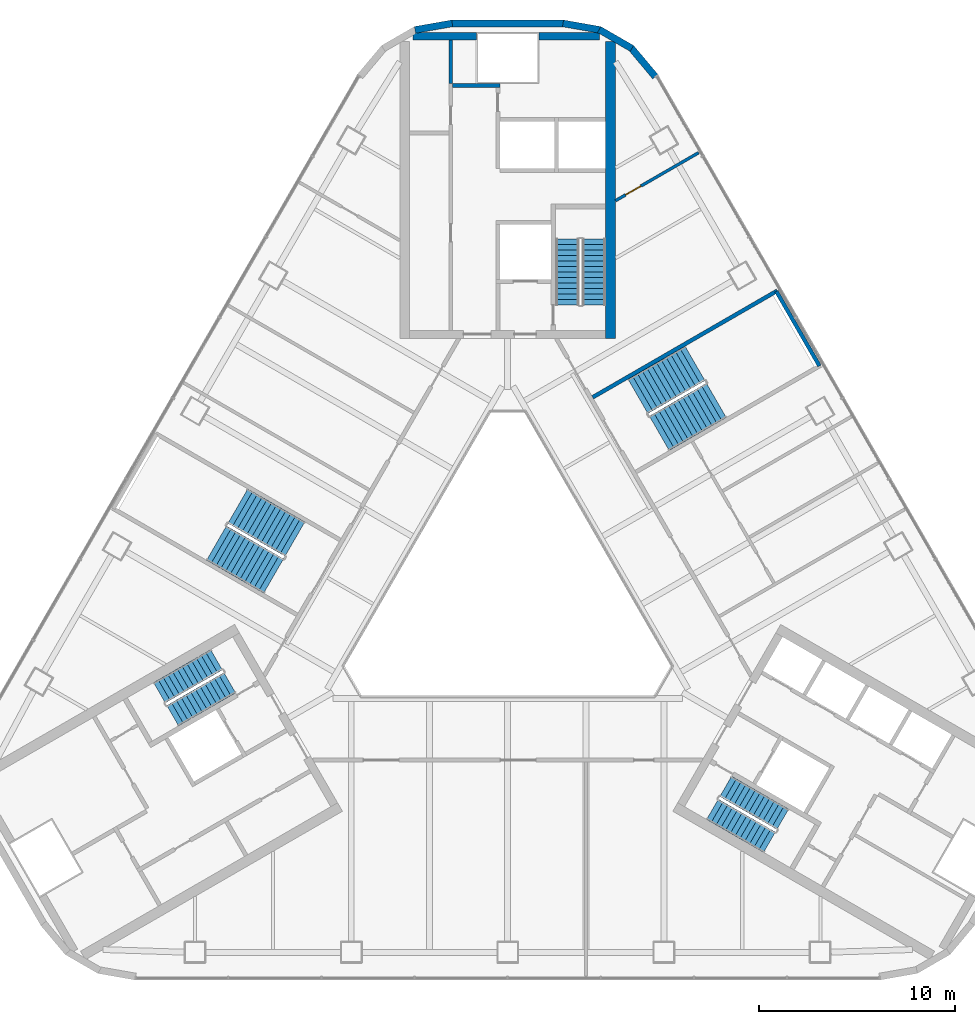
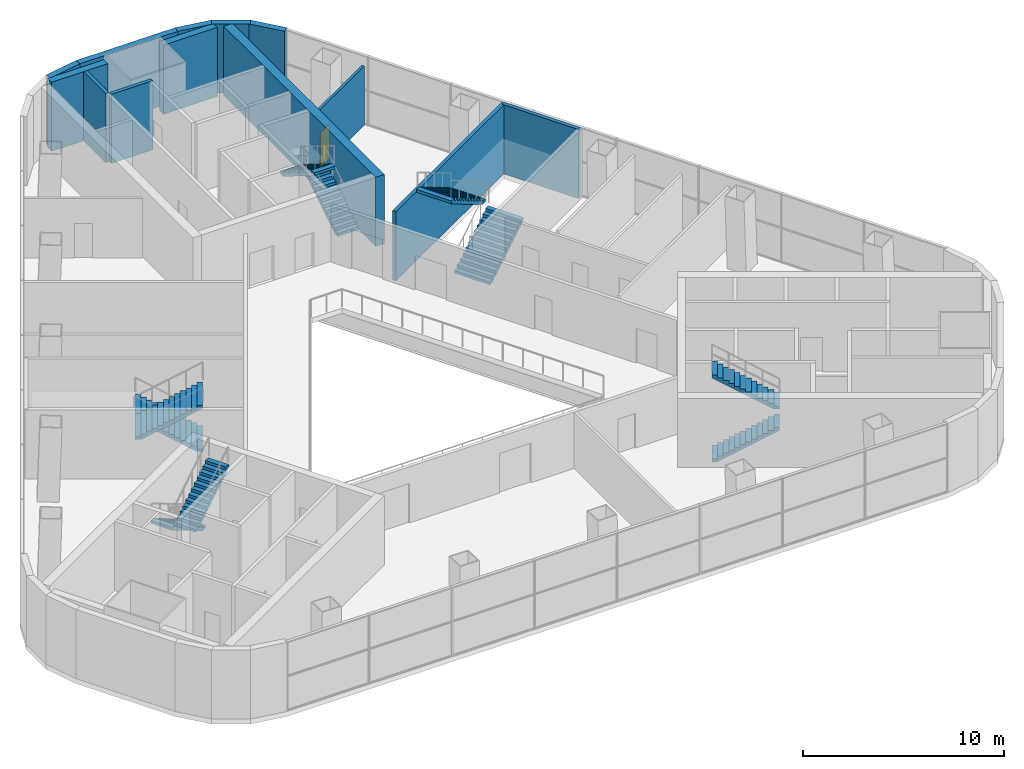
# One storey, part 10 of 12: 13 walls, 10 stair flights, 1 door, 1 opening, 5 elements without a shape of their own.
"""IFC4 building model written with IfcOpenShell, lengths in metres."""

from ifc_helpers import new_model, si_unit, direction, frame, frame_2d, origin, place, context, subcontext, project, spatial, polyline, rectangle, outline, extrude, material, layer, layer_set, type_object, element, fill, aggregate, save


model = new_model("IFC4")

# Units and contexts
model_context = context("Model", 3, precision=1e-05, world=origin(), true_north=direction((0.0, 1.0)))
body_context = subcontext(model_context, "Body", "Model", "MODEL_VIEW")
ifc_project = project(units=[si_unit("LENGTHUNIT", "METRE"), si_unit("AREAUNIT", "SQUARE_METRE"), si_unit("VOLUMEUNIT", "CUBIC_METRE"), si_unit("PLANEANGLEUNIT", "RADIAN"), si_unit("MASSUNIT", "GRAM", prefix="KILO")], contexts=[model_context])

# Site, building, storey
site_placement = place(None, origin())
site = spatial("IfcSite", under=ifc_project, at=site_placement, CompositionType="ELEMENT")
building_placement = place(site_placement, origin())
building = spatial("IfcBuilding", under=site, at=building_placement, Name="Apuvela Tower Hotel", CompositionType="ELEMENT")
storey_placement = place(building_placement, frame((0.0, 0.0, 28.5)))
storey = spatial("IfcBuildingStorey", under=building, at=storey_placement, Name="L04", CompositionType="ELEMENT", Elevation=28.5)

# Walls
ifc_material_1 = material(Name="Concrete C50/60", Category="concrete")
ifc_layer_1 = layer(ifc_material_1, 0.39990234375)
ifc_layer_set_1 = layer_set([ifc_layer_1], Name="COR-WALL-CORE-400")
wall_type_1 = type_object("IfcWallType", Name="COR-WALL-CORE-400", PredefinedType="SHEAR", material=ifc_layer_set_1)
wall_1_placement = place(storey_placement, frame((-1.60009765625, 28.300048828125, 0.0), z_axis=(0.0, 0.0, 1.0), x_axis=(-1.0, 0.0, 0.0)))
element("IfcWall", 1, at=wall_1_placement, inside=storey, type_object=wall_type_1, Name="Core wall N", PredefinedType="SHEAR", context=body_context, shape_type="SweptSolid", body=[
    extrude(rectangle(XDim=3.233642578125, YDim=0.39990234375, at=frame_2d((1.61669921875, 0.0))), origin(), (0.0, 0.0, 1.0), 4.199951171875),
])
wall_2_placement = place(storey_placement, frame((4.679931640625, 28.300048828125, 0.0), z_axis=(0.0, 0.0, 1.0), x_axis=(-1.0, 0.0, 0.0)))
element("IfcWall", 2, at=wall_2_placement, inside=storey, type_object=wall_type_1, Name="Core wall N", PredefinedType="SHEAR", context=body_context, shape_type="SweptSolid", body=[
    extrude(rectangle(XDim=3.079833984375, YDim=0.39990234375, at=frame_2d((1.5400390625, 0.0))), origin(), (0.0, 0.0, 1.0), 4.199951171875),
])
ifc_layer_2 = layer(ifc_material_1, 0.5)
ifc_layer_set_2 = layer_set([ifc_layer_2], Name="COR-WALL-CORE-500")
wall_type_2 = type_object("IfcWallType", Name="COR-WALL-CORE-500", PredefinedType="SHEAR", material=ifc_layer_set_2)
wall_3_placement = place(storey_placement, frame((5.25, 12.89990234375, 0.0), z_axis=(0.0, 0.0, 1.0), x_axis=(0.0, 1.0, 0.0)))
element("IfcWall", 3, at=wall_3_placement, inside=storey, type_object=wall_type_2, Name="Core wall N", PredefinedType="SHEAR", context=body_context, shape_type="SweptSolid", body=[
    extrude(rectangle(XDim=15.13037109375, YDim=0.5, at=frame_2d((7.565185546875, 0.0))), origin(), (0.0, 0.0, 1.0), 4.199951171875),
])
ifc_layer_3 = layer(ifc_material_1, 0.199951171875)
ifc_layer_set_3 = layer_set([ifc_layer_3], Name="COR-WALL-SHAFT-200")
wall_type_3 = type_object("IfcWallType", Name="COR-WALL-SHAFT-200", PredefinedType="SHEAR", material=ifc_layer_set_3)
wall_4_placement = place(storey_placement, frame((-0.39990234375, 25.800048828125, 0.0), z_axis=(0.0, 0.0, 1.0), x_axis=(-1.0, 0.0, 0.0)))
element("IfcWall", 4, at=wall_4_placement, inside=storey, type_object=wall_type_3, Name="Shaft wall N", PredefinedType="SHEAR", context=body_context, shape_type="SweptSolid", body=[
    extrude(rectangle(XDim=2.400146484375, YDim=0.199951171875, at=frame_2d((1.2001953125, 0.0))), origin(), (0.0, 0.0, 1.0), 4.199951171875),
])
wall_5_placement = place(storey_placement, frame((-2.89990234375, 25.89990234375, 0.0), z_axis=(0.0, 0.0, 1.0), x_axis=(0.0, 1.0, 0.0)))
element("IfcWall", 5, at=wall_5_placement, inside=storey, type_object=wall_type_3, Name="Shaft wall N", PredefinedType="SHEAR", context=body_context, shape_type="SweptSolid", body=[
    extrude(rectangle(XDim=2.2001953125, YDim=0.199951171875, at=frame_2d((1.10009765625, 0.0))), origin(), (0.0, 0.0, 1.0), 4.199951171875),
])
ifc_material_2 = material(Name="Concrete C40/50, dark pigmented precast panel", Category="concrete")
ifc_layer_4 = layer(ifc_material_2, 0.35009765625)
ifc_layer_set_4 = layer_set([ifc_layer_4], Name="ENV-WALL-350")
wall_type_4 = type_object("IfcWallType", Name="ENV-WALL-350", PredefinedType="SOLIDWALL", material=ifc_layer_set_4)
wall_6_placement = place(storey_placement, frame((6.336669921875, 27.6806640625, 0.0), z_axis=(0.0, 0.0, 1.0), x_axis=(-0.866052736899, 0.499952654668, 0.0)))
element("IfcWall", 6, at=wall_6_placement, inside=storey, type_object=wall_type_4, Name="External wall L04-01", PredefinedType="SOLIDWALL", context=body_context, shape_type="SweptSolid", body=[
    extrude(rectangle(XDim=1.927978515625, YDim=0.35009765625, at=frame_2d((0.9638671875, 0.0))), origin(), (0.0, 0.0, 1.0), 4.199951171875),
])
wall_7_placement = place(storey_placement, frame((4.72412109375, 28.623779296875, 0.0), z_axis=(0.0, 0.0, 1.0), x_axis=(-0.98481795522, 0.173590308126, 0.0)))
element("IfcWall", 7, at=wall_7_placement, inside=storey, type_object=wall_type_4, Name="External wall L04-02", PredefinedType="SOLIDWALL", context=body_context, shape_type="SweptSolid", body=[
    extrude(rectangle(XDim=1.92822265625, YDim=0.35009765625, at=frame_2d((0.964111328125, 0.0))), origin(), (0.0, 0.0, 1.0), 4.199951171875),
])
wall_8_placement = place(storey_placement, frame((2.855712890625, 28.9560546875, 0.0), z_axis=(0.0, 0.0, 1.0), x_axis=(-1.0, 0.0, 0.0)))
element("IfcWall", 8, at=wall_8_placement, inside=storey, type_object=wall_type_4, Name="External wall L04-03", PredefinedType="SOLIDWALL", context=body_context, shape_type="SweptSolid", body=[
    extrude(rectangle(XDim=5.71142578125, YDim=0.35009765625, at=frame_2d((2.855712890625, 0.0))), origin(), (0.0, 0.0, 1.0), 4.199951171875),
])
wall_9_placement = place(storey_placement, frame((-2.8251953125, 28.95849609375, 0.0), z_axis=(0.0, 0.0, 1.0), x_axis=(-0.98481795522, -0.173590308126, 0.0)))
element("IfcWall", 9, at=wall_9_placement, inside=storey, type_object=wall_type_4, Name="External wall L04-04", PredefinedType="SOLIDWALL", context=body_context, shape_type="SweptSolid", body=[
    extrude(rectangle(XDim=1.92822265625, YDim=0.35009765625, at=frame_2d((0.964111328125, 0.0))), origin(), (0.0, 0.0, 1.0), 4.199951171875),
])
wall_10_placement = place(storey_placement, frame((7.529296875, 26.24267578125, 0.0), z_axis=(0.0, 0.0, 1.0), x_axis=(-0.642746534531, 0.76607890739, 0.0)))
element("IfcWall", 10, at=wall_10_placement, inside=storey, type_object=wall_type_4, Name="External wall L04-24", PredefinedType="SOLIDWALL", context=body_context, shape_type="SweptSolid", body=[
    extrude(rectangle(XDim=1.927978515625, YDim=0.35009765625, at=frame_2d((0.9638671875, 0.0))), origin(), (0.0, 0.0, 1.0), 4.199951171875),
])

# Wall, opening, door
ifc_material_3 = material(Name="Gypsum board partition on steel stud", Category="steel")
ifc_layer_5 = layer(ifc_material_3, 0.14990234375)
ifc_layer_set_5 = layer_set([ifc_layer_5], Name="SPC-WALL-PARTITION")
wall_type_5 = type_object("IfcWallType", Name="SPC-WALL-PARTITION", PredefinedType="PARTITIONING", material=ifc_layer_set_5)
wall_11_placement = place(storey_placement, frame((9.736572265625, 22.364501953125, 0.0), z_axis=(0.0, 0.0, 1.0), x_axis=(-0.866020200517, -0.500009012216, 0.0)))
wall_11 = element("IfcWall", 11, at=wall_11_placement, inside=storey, type_object=wall_type_5, Name="Wall L04-NE-P07", PredefinedType="PARTITIONING", context=body_context, shape_type="SweptSolid", body=[
    extrude(rectangle(XDim=4.89208984375, YDim=0.14990234375, at=frame_2d((2.446044921875, 0.0))), origin(), (0.0, 0.0, 1.0), 3.60009765625),
])
opening_placement = place(wall_11_placement, frame((3.39599609375, 0.0, 0.0)))
opening = element("IfcOpeningElement", 12, at=opening_placement, cuts=wall_11, Name="Opening L04-S03", PredefinedType="OPENING", context=body_context, shape_type="SweptSolid", body=[
    extrude(rectangle(XDim=0.89990234375, YDim=2.10009765625, at=frame_2d((0.449951171875, 1.050048828125))), frame((0.0, 0.0849609375, 0.0), z_axis=(0.0, -1.0, 0.0), x_axis=(1.0, 0.0, 0.0)), (0.0, 0.0, 1.0), 0.169921875),
])
ifc_material_4 = material(Name="Hardwood veneer door leaf", Category="wood")
door_type = type_object("IfcDoorType", Name="SPC-DOOR-900", OperationType="NOTDEFINED", PredefinedType="DOOR", material=ifc_material_4)
door_placement = place(opening_placement, frame((0.89990234375, 0.0, 0.0), z_axis=(0.0, 0.0, 1.0), x_axis=(-1.0, 0.0, 0.0)))
door = element("IfcDoor", 13, at=door_placement, inside=storey, type_object=door_type, Name="L04-S03", OperationType="SINGLE_SWING_RIGHT", OverallHeight=2.10009765625, OverallWidth=0.89990234375, PredefinedType="DOOR", context=body_context, shape_type="SweptSolid", body=[
    extrude(rectangle(XDim=0.89990234375, YDim=2.10009765625, at=frame_2d((0.449951171875, 1.050048828125))), frame((0.0, 0.02490234375, 0.0), z_axis=(0.0, -1.0, 0.0), x_axis=(1.0, 0.0, 0.0)), (0.0, 0.0, 1.0), 0.050048828125),
])
fill(opening, door)

# Walls
ifc_material_5 = material(Name="Concrete C40/50", Category="concrete")
ifc_layer_6 = layer(ifc_material_5, 0.199951171875)
ifc_layer_set_6 = layer_set([ifc_layer_6], Name="SPC-WALL-STAIR")
wall_type_6 = type_object("IfcWallType", Name="SPC-WALL-STAIR", PredefinedType="SOLIDWALL", material=ifc_layer_set_6)
wall_12_placement = place(storey_placement, frame((13.748046875, 15.32763671875, 0.0), z_axis=(0.0, 0.0, 1.0), x_axis=(-0.86602026553, -0.500008899612, 0.0)))
element("IfcWall", 14, at=wall_12_placement, inside=storey, type_object=wall_type_6, Name="Wall L04-NE-P06", PredefinedType="SOLIDWALL", context=body_context, shape_type="SweptSolid", body=[
    extrude(rectangle(XDim=10.869873046875, YDim=0.199951171875, at=frame_2d((5.43505859375, 0.0))), origin(), (0.0, 0.0, 1.0), 4.199951171875),
])
wall_13_placement = place(storey_placement, frame((15.89990234375, 11.4892578125, 0.0), z_axis=(0.0, 0.0, 1.0), x_axis=(-0.499988222896, 0.866032203192, 0.0)))
element("IfcWall", 15, at=wall_13_placement, inside=storey, type_object=wall_type_6, Name="Wall L04-NE-FWX", PredefinedType="SOLIDWALL", context=body_context, shape_type="SweptSolid", body=[
    extrude(rectangle(XDim=4.39990234375, YDim=0.199951171875, at=frame_2d((2.199951171875, 0.0))), origin(), (0.0, 0.0, 1.0), 4.199951171875),
])

# Stair, stair flights
stair_type_1 = type_object("IfcStairType", Name="COR-STAIR-26R", PredefinedType="HALF_TURN_STAIR", material=ifc_material_1)
stair_1_placement = place(storey_placement, origin())
stair_1 = element("IfcStair", 16, at=stair_1_placement, inside=storey, type_object=stair_type_1, Name="L04 Exit stair ST1", PredefinedType="HALF_TURN_STAIR")
stair_flight_type_1 = type_object("IfcStairFlightType", Name="COR-FLIGHT-13R", PredefinedType="STRAIGHT", material=ifc_material_1)
stair_flight_1_placement = place(storey_placement, frame((4.39990234375, 14.60009765625, 0.0), z_axis=(0.0, 0.0, 1.0), x_axis=(0.0, 1.0, 0.0)))
stair_flight_1 = element("IfcStairFlight", 17, at=stair_flight_1_placement, type_object=stair_flight_type_1, Name="ST1 flight 1", NumberOfRisers=13, NumberOfTreads=12, PredefinedType="STRAIGHT", RiserHeight=0.173076923, TreadLength=0.28, context=body_context, shape_type="SweptSolid", body=[
    extrude(outline(polyline([(0.0, 0.0), (0.0, 0.173095703125), (0.280029296875, 0.173095703125), (0.280029296875, 0.34619140625), (0.56005859375, 0.34619140625), (0.56005859375, 0.519287109375), (0.840087890625, 0.519287109375), (0.840087890625, 0.6923828125), (1.1201171875, 0.6923828125), (1.1201171875, 0.865478515625), (1.39990234375, 0.865478515625), (1.39990234375, 1.03857421875), (1.679931640625, 1.03857421875), (1.679931640625, 1.21142578125), (1.9599609375, 1.21142578125), (1.9599609375, 1.384521484375), (2.239990234375, 1.384521484375), (2.239990234375, 1.5576171875), (2.52001953125, 1.5576171875), (2.52001953125, 1.730712890625), (2.800048828125, 1.730712890625), (2.800048828125, 1.90380859375), (3.080078125, 1.90380859375), (3.080078125, 2.076904296875), (3.360107421875, 2.076904296875), (3.360107421875, 2.25), (3.360107421875, 1.900634765625), (0.28515625, 0.0), (0.0, 0.0)])), frame((0.0, 0.60009765625, 0.0), z_axis=(0.0, -1.0, 0.0), x_axis=(1.0, 0.0, 0.0)), (0.0, 0.0, 1.0), 1.199951171875),
])
stair_flight_2_placement = place(storey_placement, frame((3.050048828125, 17.9599609375, 2.25), z_axis=(0.0, 0.0, 1.0), x_axis=(0.0, -1.0, 0.0)))
stair_flight_2 = element("IfcStairFlight", 18, at=stair_flight_2_placement, type_object=stair_flight_type_1, Name="ST1 flight 2", NumberOfRisers=13, NumberOfTreads=12, PredefinedType="STRAIGHT", RiserHeight=0.173076923, TreadLength=0.28, context=body_context, shape_type="SweptSolid", body=[
    extrude(outline(polyline([(0.0, 0.0), (0.0, 0.173095703125), (0.280029296875, 0.173095703125), (0.280029296875, 0.34619140625), (0.56005859375, 0.34619140625), (0.56005859375, 0.519287109375), (0.840087890625, 0.519287109375), (0.840087890625, 0.6923828125), (1.1201171875, 0.6923828125), (1.1201171875, 0.865478515625), (1.39990234375, 0.865478515625), (1.39990234375, 1.03857421875), (1.679931640625, 1.03857421875), (1.679931640625, 1.21142578125), (1.9599609375, 1.21142578125), (1.9599609375, 1.384521484375), (2.239990234375, 1.384521484375), (2.239990234375, 1.5576171875), (2.52001953125, 1.5576171875), (2.52001953125, 1.730712890625), (2.800048828125, 1.730712890625), (2.800048828125, 1.90380859375), (3.080078125, 1.90380859375), (3.080078125, 2.076904296875), (3.360107421875, 2.076904296875), (3.360107421875, 2.25), (3.360107421875, 1.900634765625), (0.28515625, 0.0), (0.0, 0.0)])), frame((0.0, 0.60009765625, 0.0), z_axis=(0.0, -1.0, 0.0), x_axis=(1.0, 0.0, 0.0)), (0.0, 0.0, 1.0), 1.199951171875),
])
aggregate(stair_1, [stair_flight_1, stair_flight_2])

stair_2_placement = place(storey_placement, origin())
stair_2 = element("IfcStair", 19, at=stair_2_placement, inside=storey, type_object=stair_type_1, Name="L04 Exit stair ST2", PredefinedType="HALF_TURN_STAIR")
stair_flight_3_placement = place(storey_placement, frame((-14.843994140625, -3.489501953125, 0.0), z_axis=(0.0, 0.0, 1.0), x_axis=(-0.866025403784, -0.5, 0.0)))
stair_flight_3 = element("IfcStairFlight", 20, at=stair_flight_3_placement, type_object=stair_flight_type_1, Name="ST2 flight 1", NumberOfRisers=13, NumberOfTreads=12, PredefinedType="STRAIGHT", RiserHeight=0.173076923, TreadLength=0.28, context=body_context, shape_type="SweptSolid", body=[
    extrude(outline(polyline([(0.0, 0.0), (0.0, 0.173095703125), (0.280029296875, 0.173095703125), (0.280029296875, 0.34619140625), (0.56005859375, 0.34619140625), (0.56005859375, 0.519287109375), (0.840087890625, 0.519287109375), (0.840087890625, 0.6923828125), (1.1201171875, 0.6923828125), (1.1201171875, 0.865478515625), (1.39990234375, 0.865478515625), (1.39990234375, 1.03857421875), (1.679931640625, 1.03857421875), (1.679931640625, 1.21142578125), (1.9599609375, 1.21142578125), (1.9599609375, 1.384521484375), (2.239990234375, 1.384521484375), (2.239990234375, 1.5576171875), (2.52001953125, 1.5576171875), (2.52001953125, 1.730712890625), (2.800048828125, 1.730712890625), (2.800048828125, 1.90380859375), (3.080078125, 1.90380859375), (3.080078125, 2.076904296875), (3.360107421875, 2.076904296875), (3.360107421875, 2.25), (3.360107421875, 1.900634765625), (0.28515625, 0.0), (0.0, 0.0)])), frame((0.0, 0.60009765625, 0.0), z_axis=(0.0, -1.0, 0.0), x_axis=(1.0, 0.0, 0.0)), (0.0, 0.0, 1.0), 1.199951171875),
])
stair_flight_4_placement = place(storey_placement, frame((-17.078857421875, -6.338623046875, 2.25), z_axis=(0.0, 0.0, 1.0), x_axis=(0.866025403784, 0.5, 0.0)))
stair_flight_4 = element("IfcStairFlight", 21, at=stair_flight_4_placement, type_object=stair_flight_type_1, Name="ST2 flight 2", NumberOfRisers=13, NumberOfTreads=12, PredefinedType="STRAIGHT", RiserHeight=0.173076923, TreadLength=0.28, context=body_context, shape_type="SweptSolid", body=[
    extrude(outline(polyline([(0.0, 0.0), (0.0, 0.173095703125), (0.280029296875, 0.173095703125), (0.280029296875, 0.34619140625), (0.56005859375, 0.34619140625), (0.56005859375, 0.519287109375), (0.840087890625, 0.519287109375), (0.840087890625, 0.6923828125), (1.1201171875, 0.6923828125), (1.1201171875, 0.865478515625), (1.39990234375, 0.865478515625), (1.39990234375, 1.03857421875), (1.679931640625, 1.03857421875), (1.679931640625, 1.21142578125), (1.9599609375, 1.21142578125), (1.9599609375, 1.384521484375), (2.239990234375, 1.384521484375), (2.239990234375, 1.5576171875), (2.52001953125, 1.5576171875), (2.52001953125, 1.730712890625), (2.800048828125, 1.730712890625), (2.800048828125, 1.90380859375), (3.080078125, 1.90380859375), (3.080078125, 2.076904296875), (3.360107421875, 2.076904296875), (3.360107421875, 2.25), (3.360107421875, 1.900634765625), (0.28515625, 0.0), (0.0, 0.0)])), frame((0.0, 0.60009765625, 0.0), z_axis=(0.0, -1.0, 0.0), x_axis=(1.0, 0.0, 0.0)), (0.0, 0.0, 1.0), 1.199951171875),
])
aggregate(stair_2, [stair_flight_3, stair_flight_4])

stair_3_placement = place(storey_placement, origin())
stair_3 = element("IfcStair", 22, at=stair_3_placement, inside=storey, type_object=stair_type_1, Name="L04 Exit stair ST3", PredefinedType="HALF_TURN_STAIR")
stair_flight_5_placement = place(storey_placement, frame((10.444091796875, -11.110595703125, 0.0), z_axis=(0.0, 0.0, 1.0), x_axis=(0.866025403784, -0.5, 0.0)))
stair_flight_5 = element("IfcStairFlight", 23, at=stair_flight_5_placement, type_object=stair_flight_type_1, Name="ST3 flight 1", NumberOfRisers=13, NumberOfTreads=12, PredefinedType="STRAIGHT", RiserHeight=0.173076923, TreadLength=0.28, context=body_context, shape_type="SweptSolid", body=[
    extrude(outline(polyline([(0.0, 0.0), (0.0, 0.173095703125), (0.280029296875, 0.173095703125), (0.280029296875, 0.34619140625), (0.56005859375, 0.34619140625), (0.56005859375, 0.519287109375), (0.840087890625, 0.519287109375), (0.840087890625, 0.6923828125), (1.1201171875, 0.6923828125), (1.1201171875, 0.865478515625), (1.39990234375, 0.865478515625), (1.39990234375, 1.03857421875), (1.679931640625, 1.03857421875), (1.679931640625, 1.21142578125), (1.9599609375, 1.21142578125), (1.9599609375, 1.384521484375), (2.239990234375, 1.384521484375), (2.239990234375, 1.5576171875), (2.52001953125, 1.5576171875), (2.52001953125, 1.730712890625), (2.800048828125, 1.730712890625), (2.800048828125, 1.90380859375), (3.080078125, 1.90380859375), (3.080078125, 2.076904296875), (3.360107421875, 2.076904296875), (3.360107421875, 2.25), (3.360107421875, 1.900634765625), (0.28515625, 0.0), (0.0, 0.0)])), frame((0.0, 0.60009765625, 0.0), z_axis=(0.0, -1.0, 0.0), x_axis=(1.0, 0.0, 0.0)), (0.0, 0.0, 1.0), 1.199951171875),
])
stair_flight_6_placement = place(storey_placement, frame((14.02880859375, -11.621337890625, 2.25), z_axis=(0.0, 0.0, 1.0), x_axis=(-0.866025403784, 0.5, 0.0)))
stair_flight_6 = element("IfcStairFlight", 24, at=stair_flight_6_placement, type_object=stair_flight_type_1, Name="ST3 flight 2", NumberOfRisers=13, NumberOfTreads=12, PredefinedType="STRAIGHT", RiserHeight=0.173076923, TreadLength=0.28, context=body_context, shape_type="SweptSolid", body=[
    extrude(outline(polyline([(0.0, 0.0), (0.0, 0.173095703125), (0.280029296875, 0.173095703125), (0.280029296875, 0.34619140625), (0.56005859375, 0.34619140625), (0.56005859375, 0.519287109375), (0.840087890625, 0.519287109375), (0.840087890625, 0.6923828125), (1.1201171875, 0.6923828125), (1.1201171875, 0.865478515625), (1.39990234375, 0.865478515625), (1.39990234375, 1.03857421875), (1.679931640625, 1.03857421875), (1.679931640625, 1.21142578125), (1.9599609375, 1.21142578125), (1.9599609375, 1.384521484375), (2.239990234375, 1.384521484375), (2.239990234375, 1.5576171875), (2.52001953125, 1.5576171875), (2.52001953125, 1.730712890625), (2.800048828125, 1.730712890625), (2.800048828125, 1.90380859375), (3.080078125, 1.90380859375), (3.080078125, 2.076904296875), (3.360107421875, 2.076904296875), (3.360107421875, 2.25), (3.360107421875, 1.900634765625), (0.28515625, 0.0), (0.0, 0.0)])), frame((0.0, 0.60009765625, 0.0), z_axis=(0.0, -1.0, 0.0), x_axis=(1.0, 0.0, 0.0)), (0.0, 0.0, 1.0), 1.199951171875),
])
aggregate(stair_3, [stair_flight_5, stair_flight_6])

stair_type_2 = type_object("IfcStairType", Name="SPC-STAIR-PS", PredefinedType="HALF_TURN_STAIR", material=ifc_material_5)
stair_4_placement = place(storey_placement, origin())
stair_4 = element("IfcStair", 25, at=stair_4_placement, inside=storey, type_object=stair_type_2, Name="L04 Protected exit stair PS1", PredefinedType="HALF_TURN_STAIR")
stair_flight_type_2 = type_object("IfcStairFlightType", Name="SPC-FLIGHT-PS", PredefinedType="STRAIGHT", material=ifc_material_5)
stair_flight_7_placement = place(storey_placement, frame((7.73193359375, 8.05810546875, 0.0), z_axis=(0.0, 0.0, 1.0), x_axis=(0.866025403784, 0.5, 0.0)))
stair_flight_7 = element("IfcStairFlight", 26, at=stair_flight_7_placement, type_object=stair_flight_type_2, Name="PS1 flight 1", NumberOfRisers=13, NumberOfTreads=12, PredefinedType="STRAIGHT", RiserHeight=0.173076923, TreadLength=0.28, context=body_context, shape_type="SweptSolid", body=[
    extrude(outline(polyline([(0.0, 0.0), (0.0, 0.173095703125), (0.280029296875, 0.173095703125), (0.280029296875, 0.34619140625), (0.56005859375, 0.34619140625), (0.56005859375, 0.519287109375), (0.840087890625, 0.519287109375), (0.840087890625, 0.6923828125), (1.1201171875, 0.6923828125), (1.1201171875, 0.865478515625), (1.39990234375, 0.865478515625), (1.39990234375, 1.03857421875), (1.679931640625, 1.03857421875), (1.679931640625, 1.21142578125), (1.9599609375, 1.21142578125), (1.9599609375, 1.384521484375), (2.239990234375, 1.384521484375), (2.239990234375, 1.5576171875), (2.52001953125, 1.5576171875), (2.52001953125, 1.730712890625), (2.800048828125, 1.730712890625), (2.800048828125, 1.90380859375), (3.080078125, 1.90380859375), (3.080078125, 2.076904296875), (3.360107421875, 2.076904296875), (3.360107421875, 2.25), (3.360107421875, 1.900634765625), (0.28515625, 0.0), (0.0, 0.0)])), frame((0.0, 1.012451171875, 0.0), z_axis=(0.0, -1.0, 0.0), x_axis=(1.0, 0.0, 0.0)), (0.0, 0.0, 1.0), 2.02490234375),
])
stair_flight_8_placement = place(storey_placement, frame((9.55419921875, 11.62158203125, 2.25), z_axis=(0.0, 0.0, 1.0), x_axis=(-0.866025403784, -0.5, 0.0)))
stair_flight_8 = element("IfcStairFlight", 27, at=stair_flight_8_placement, type_object=stair_flight_type_2, Name="PS1 flight 2", NumberOfRisers=13, NumberOfTreads=12, PredefinedType="STRAIGHT", RiserHeight=0.173076923, TreadLength=0.28, context=body_context, shape_type="SweptSolid", body=[
    extrude(outline(polyline([(0.0, 0.0), (0.0, 0.173095703125), (0.280029296875, 0.173095703125), (0.280029296875, 0.34619140625), (0.56005859375, 0.34619140625), (0.56005859375, 0.519287109375), (0.840087890625, 0.519287109375), (0.840087890625, 0.6923828125), (1.1201171875, 0.6923828125), (1.1201171875, 0.865478515625), (1.39990234375, 0.865478515625), (1.39990234375, 1.03857421875), (1.679931640625, 1.03857421875), (1.679931640625, 1.21142578125), (1.9599609375, 1.21142578125), (1.9599609375, 1.384521484375), (2.239990234375, 1.384521484375), (2.239990234375, 1.5576171875), (2.52001953125, 1.5576171875), (2.52001953125, 1.730712890625), (2.800048828125, 1.730712890625), (2.800048828125, 1.90380859375), (3.080078125, 1.90380859375), (3.080078125, 2.076904296875), (3.360107421875, 2.076904296875), (3.360107421875, 2.25), (3.360107421875, 1.900634765625), (0.28515625, 0.0), (0.0, 0.0)])), frame((0.0, 1.012451171875, 0.0), z_axis=(0.0, -1.0, 0.0), x_axis=(1.0, 0.0, 0.0)), (0.0, 0.0, 1.0), 2.02490234375),
])
aggregate(stair_4, [stair_flight_7, stair_flight_8])

stair_5_placement = place(storey_placement, origin())
stair_5 = element("IfcStair", 28, at=stair_5_placement, inside=storey, type_object=stair_type_2, Name="L04 Protected exit stair PS2", PredefinedType="HALF_TURN_STAIR")
stair_flight_9_placement = place(storey_placement, frame((-10.844482421875, 2.6669921875, 0.0), z_axis=(0.0, 0.0, 1.0), x_axis=(-0.866025403784, 0.5, 0.0)))
stair_flight_9 = element("IfcStairFlight", 29, at=stair_flight_9_placement, type_object=stair_flight_type_2, Name="PS2 flight 1", NumberOfRisers=13, NumberOfTreads=12, PredefinedType="STRAIGHT", RiserHeight=0.173076923, TreadLength=0.28, context=body_context, shape_type="SweptSolid", body=[
    extrude(outline(polyline([(0.0, 0.0), (0.0, 0.173095703125), (0.280029296875, 0.173095703125), (0.280029296875, 0.34619140625), (0.56005859375, 0.34619140625), (0.56005859375, 0.519287109375), (0.840087890625, 0.519287109375), (0.840087890625, 0.6923828125), (1.1201171875, 0.6923828125), (1.1201171875, 0.865478515625), (1.39990234375, 0.865478515625), (1.39990234375, 1.03857421875), (1.679931640625, 1.03857421875), (1.679931640625, 1.21142578125), (1.9599609375, 1.21142578125), (1.9599609375, 1.384521484375), (2.239990234375, 1.384521484375), (2.239990234375, 1.5576171875), (2.52001953125, 1.5576171875), (2.52001953125, 1.730712890625), (2.800048828125, 1.730712890625), (2.800048828125, 1.90380859375), (3.080078125, 1.90380859375), (3.080078125, 2.076904296875), (3.360107421875, 2.076904296875), (3.360107421875, 2.25), (3.360107421875, 1.900634765625), (0.28515625, 0.0), (0.0, 0.0)])), frame((0.0, 1.012451171875, 0.0), z_axis=(0.0, -1.0, 0.0), x_axis=(1.0, 0.0, 0.0)), (0.0, 0.0, 1.0), 2.02490234375),
])
stair_flight_10_placement = place(storey_placement, frame((-14.841796875, 2.46337890625, 2.25), z_axis=(0.0, 0.0, 1.0), x_axis=(0.866025403784, -0.5, 0.0)))
stair_flight_10 = element("IfcStairFlight", 30, at=stair_flight_10_placement, type_object=stair_flight_type_2, Name="PS2 flight 2", NumberOfRisers=13, NumberOfTreads=12, PredefinedType="STRAIGHT", RiserHeight=0.173076923, TreadLength=0.28, context=body_context, shape_type="SweptSolid", body=[
    extrude(outline(polyline([(0.0, 0.0), (0.0, 0.173095703125), (0.280029296875, 0.173095703125), (0.280029296875, 0.34619140625), (0.56005859375, 0.34619140625), (0.56005859375, 0.519287109375), (0.840087890625, 0.519287109375), (0.840087890625, 0.6923828125), (1.1201171875, 0.6923828125), (1.1201171875, 0.865478515625), (1.39990234375, 0.865478515625), (1.39990234375, 1.03857421875), (1.679931640625, 1.03857421875), (1.679931640625, 1.21142578125), (1.9599609375, 1.21142578125), (1.9599609375, 1.384521484375), (2.239990234375, 1.384521484375), (2.239990234375, 1.5576171875), (2.52001953125, 1.5576171875), (2.52001953125, 1.730712890625), (2.800048828125, 1.730712890625), (2.800048828125, 1.90380859375), (3.080078125, 1.90380859375), (3.080078125, 2.076904296875), (3.360107421875, 2.076904296875), (3.360107421875, 2.25), (3.360107421875, 1.900634765625), (0.28515625, 0.0), (0.0, 0.0)])), frame((0.0, 1.012451171875, 0.0), z_axis=(0.0, -1.0, 0.0), x_axis=(1.0, 0.0, 0.0)), (0.0, 0.0, 1.0), 2.02490234375),
])
aggregate(stair_5, [stair_flight_9, stair_flight_10])

save(model, "model.ifc")
